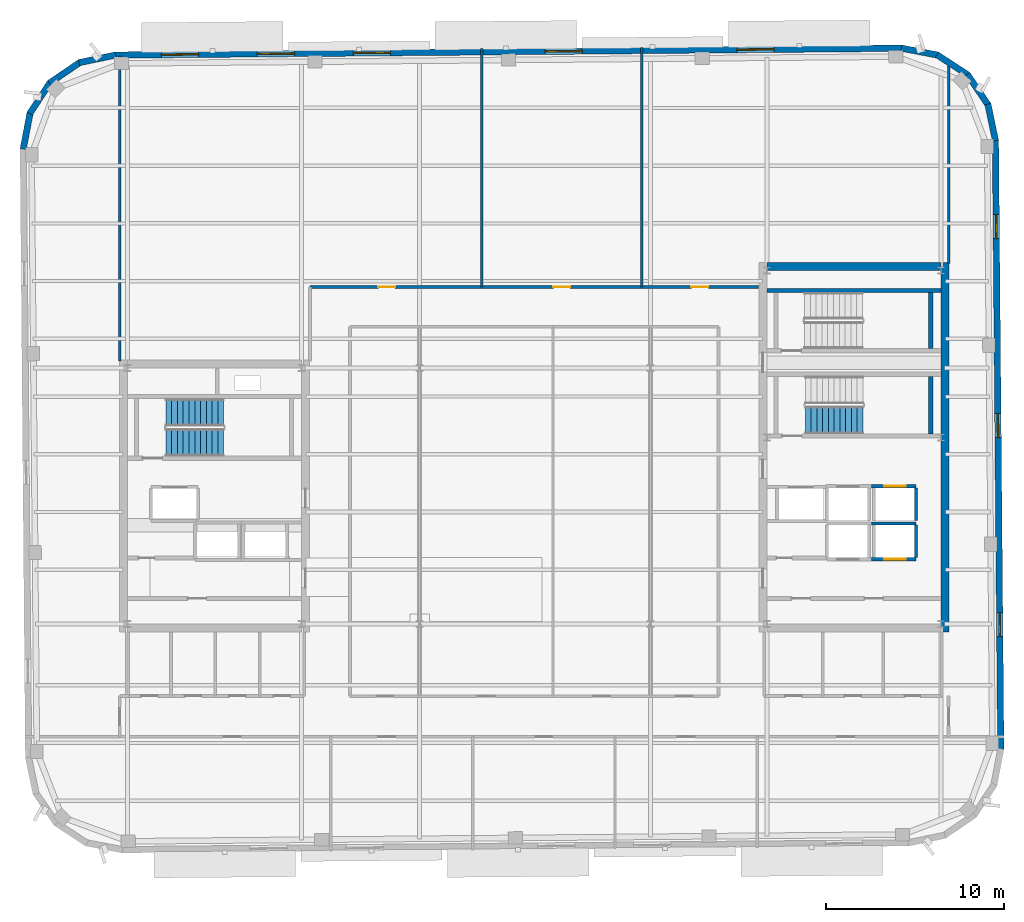
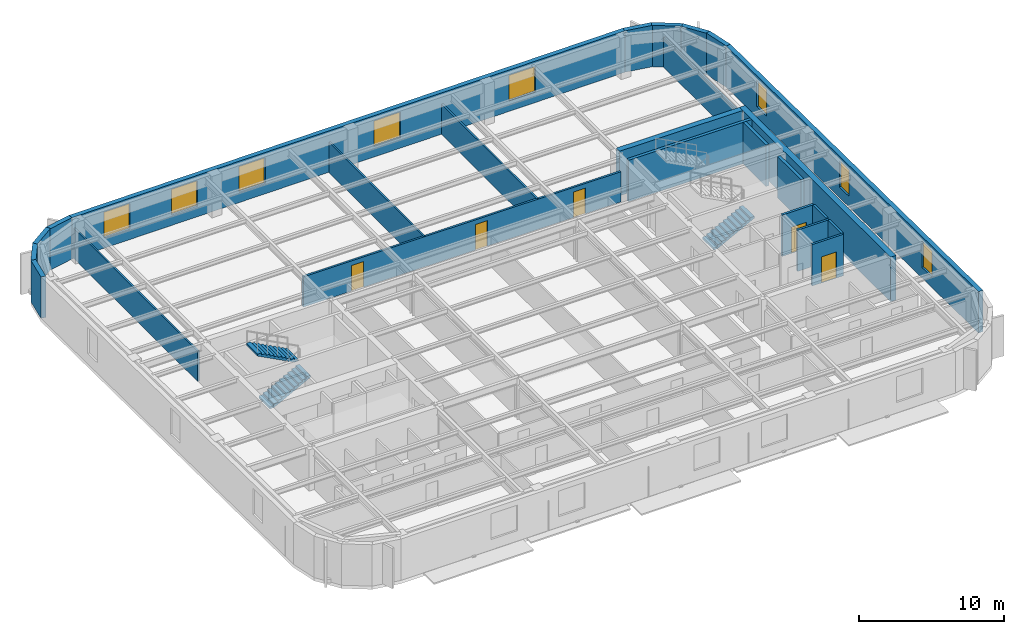
# One storey, part 9 of 15: 25 walls, 8 windows, 5 doors, 3 stair flights, 13 openings, 2 elements without a shape of their own.
"""IFC4 building model written with IfcOpenShell, lengths in metres."""

from ifc_helpers import new_model, si_unit, direction, frame, frame_2d, origin, place, context, subcontext, project, spatial, polyline, rectangle, outline, extrude, material, layer, layer_set, type_object, element, fill, aggregate, save


model = new_model("IFC4")

# Units and contexts
model_context = context("Model", 3, precision=1e-05, world=origin(), true_north=direction((0.0, 1.0)))
body_context = subcontext(model_context, "Body", "Model", "MODEL_VIEW")
ifc_project = project(units=[si_unit("LENGTHUNIT", "METRE"), si_unit("AREAUNIT", "SQUARE_METRE"), si_unit("VOLUMEUNIT", "CUBIC_METRE"), si_unit("PLANEANGLEUNIT", "RADIAN"), si_unit("MASSUNIT", "GRAM", prefix="KILO")], contexts=[model_context])

# Site, building, storey
site_placement = place(None, origin())
site = spatial("IfcSite", under=ifc_project, at=site_placement, CompositionType="ELEMENT")
building_placement = place(site_placement, origin())
building = spatial("IfcBuilding", under=site, at=building_placement, Name="Kolvaren Arena Tower", CompositionType="ELEMENT")
storey_placement = place(building_placement, frame((0.0, 0.0, 293.64990234375)))
storey = spatial("IfcBuildingStorey", under=building, at=storey_placement, Name="L72", CompositionType="ELEMENT", Elevation=293.64990234375)

# Wall, openings, doors
ifc_material_1 = material(Name="Gypsum board acoustic assembly", Category="gypsum")
ifc_layer_1 = layer(ifc_material_1, 0.159912109375)
ifc_layer_set_1 = layer_set([ifc_layer_1], Name="Gypsum board acoustic assembly")
wall_type_1 = type_object("IfcWallType", Name="CORR-160", PredefinedType="PARTITIONING", material=ifc_layer_set_1)
wall_1_placement = place(storey_placement, frame((24.820068359375, 38.419921875, 0.0), z_axis=(0.0, 0.0, 1.0), x_axis=(1.0, 0.0, 0.0)))
wall_1 = element("IfcWall", 1, at=wall_1_placement, inside=storey, type_object=wall_type_1, Name="Interior Partition Wall (L72)", PredefinedType="PARTITIONING", context=body_context, shape_type="SweptSolid", body=[
    extrude(rectangle(XDim=25.260009765625, YDim=0.159912109375, at=frame_2d((12.6298828125, 0.0))), origin(), (0.0, 0.0, 1.0), 2.5400390625),
])
opening_1_placement = place(wall_1_placement, frame((3.85498046875, 0.0, 0.0)))
opening_1 = element("IfcOpeningElement", 2, at=opening_1_placement, cuts=wall_1, Name="Opening D05", PredefinedType="OPENING", context=body_context, shape_type="SweptSolid", body=[
    extrude(rectangle(XDim=0.949951171875, YDim=2.14990234375, at=frame_2d((0.47509765625, 1.074951171875))), frame((0.0, 0.08984375, 0.0), z_axis=(0.0, -1.0, 0.0), x_axis=(1.0, 0.0, 0.0)), (0.0, 0.0, 1.0), 0.179931640625),
])
opening_2_placement = place(wall_1_placement, frame((13.705078125, 0.0, 0.0)))
opening_2 = element("IfcOpeningElement", 3, at=opening_2_placement, cuts=wall_1, Name="Opening D05", PredefinedType="OPENING", context=body_context, shape_type="SweptSolid", body=[
    extrude(rectangle(XDim=0.949951171875, YDim=2.14990234375, at=frame_2d((0.47509765625, 1.074951171875))), frame((0.0, 0.08984375, 0.0), z_axis=(0.0, -1.0, 0.0), x_axis=(1.0, 0.0, 0.0)), (0.0, 0.0, 1.0), 0.179931640625),
])
opening_3_placement = place(wall_1_placement, frame((21.47998046875, 0.0, 0.0)))
opening_3 = element("IfcOpeningElement", 4, at=opening_3_placement, cuts=wall_1, Name="Opening D05", PredefinedType="OPENING", context=body_context, shape_type="SweptSolid", body=[
    extrude(rectangle(XDim=0.949951171875, YDim=2.14990234375, at=frame_2d((0.47509765625, 1.074951171875))), frame((0.0, 0.08984375, 0.0), z_axis=(0.0, -1.0, 0.0), x_axis=(1.0, 0.0, 0.0)), (0.0, 0.0, 1.0), 0.179931640625),
])
ifc_material_2 = material(Name="Solid-core oak acoustic office door", Category="wood")
door_type_1 = type_object("IfcDoorType", Name="DOOR-OF-095", OperationType="NOTDEFINED", PredefinedType="DOOR", material=ifc_material_2)
door_1_placement = place(opening_1_placement, origin())
door_1 = element("IfcDoor", 5, at=door_1_placement, inside=storey, type_object=door_type_1, Name="Breakout Pantry and Kitchen Door (L72)", OperationType="SINGLE_SWING_LEFT", OverallHeight=2.14990234375, OverallWidth=0.949951171875, PredefinedType="DOOR", context=body_context, shape_type="SweptSolid", body=[
    extrude(rectangle(XDim=0.949951171875, YDim=2.14990234375, at=frame_2d((0.47509765625, 1.074951171875))), frame((0.0, 0.02490234375, 0.0), z_axis=(0.0, -1.0, 0.0), x_axis=(1.0, 0.0, 0.0)), (0.0, 0.0, 1.0), 0.050048828125),
])
fill(opening_1, door_1)
door_2_placement = place(opening_2_placement, origin())
door_2 = element("IfcDoor", 6, at=door_2_placement, inside=storey, type_object=door_type_1, Name="Executive Office Door (L72)", OperationType="SINGLE_SWING_RIGHT", OverallHeight=2.14990234375, OverallWidth=0.949951171875, PredefinedType="DOOR", context=body_context, shape_type="SweptSolid", body=[
    extrude(rectangle(XDim=0.949951171875, YDim=2.14990234375, at=frame_2d((0.47509765625, 1.074951171875))), frame((0.0, 0.02490234375, 0.0), z_axis=(0.0, -1.0, 0.0), x_axis=(1.0, 0.0, 0.0)), (0.0, 0.0, 1.0), 0.050048828125),
])
fill(opening_2, door_2)
door_3_placement = place(opening_3_placement, origin())
door_3 = element("IfcDoor", 7, at=door_3_placement, inside=storey, type_object=door_type_1, Name="Executive Office Door (L72)", OperationType="SINGLE_SWING_LEFT", OverallHeight=2.14990234375, OverallWidth=0.949951171875, PredefinedType="DOOR", context=body_context, shape_type="SweptSolid", body=[
    extrude(rectangle(XDim=0.949951171875, YDim=2.14990234375, at=frame_2d((0.47509765625, 1.074951171875))), frame((0.0, 0.02490234375, 0.0), z_axis=(0.0, -1.0, 0.0), x_axis=(1.0, 0.0, 0.0)), (0.0, 0.0, 1.0), 0.050048828125),
])
fill(opening_3, door_3)

# Walls
ifc_material_3 = material(Name="Concrete 55 MPa", Category="concrete")
ifc_layer_2 = layer(ifc_material_3, 0.449951171875)
ifc_layer_set_2 = layer_set([ifc_layer_2], Name="Concrete 55 MPa")
wall_type_2 = type_object("IfcWallType", Name="CWALL-450", PredefinedType="SHEAR", material=ifc_layer_set_2)
wall_2_placement = place(storey_placement, frame((60.574951171875, 19.0, -0.27001953125), z_axis=(0.0, 0.0, 1.0), x_axis=(0.0, 1.0, 0.0)))
element("IfcWall", 8, at=wall_2_placement, inside=storey, type_object=wall_type_2, Name="Core Shear Wall EC-EAST (L72)", PredefinedType="SHEAR", context=body_context, shape_type="SweptSolid", body=[
    extrude(rectangle(XDim=20.800048828125, YDim=0.449951171875, at=frame_2d((10.39990234375, 0.0))), origin(), (0.0, 0.0, 1.0), 3.75),
])
wall_3_placement = place(storey_placement, frame((50.550048828125, 39.574951171875, -0.27001953125), z_axis=(0.0, 0.0, 1.0), x_axis=(1.0, 0.0, 0.0)))
element("IfcWall", 9, at=wall_3_placement, inside=storey, type_object=wall_type_2, Name="Core Shear Wall EC-NORTH (L72)", PredefinedType="SHEAR", context=body_context, shape_type="SweptSolid", body=[
    extrude(rectangle(XDim=9.800048828125, YDim=0.449951171875, at=frame_2d((4.89990234375, 0.0))), origin(), (0.0, 0.0, 1.0), 3.75),
])

# Wall, openings, windows
ifc_material_4 = material(Name="Precast concrete C50/60", Category="concrete")
ifc_layer_3 = layer(ifc_material_4, 0.360107421875)
ifc_layer_set_3 = layer_set([ifc_layer_3], Name="Precast concrete C50/60")
wall_type_3 = type_object("IfcWallType", Name="EXT-PIER2", PredefinedType="SOLIDWALL", material=ifc_layer_set_3)
wall_4_placement = place(storey_placement, frame((63.419189453125, 46.688232421875, 0.0), z_axis=(0.0, 0.0, 1.0), x_axis=(0.008726391715, -0.999961924319, 0.0)))
wall_4 = element("IfcWall", 10, at=wall_4_placement, inside=storey, type_object=wall_type_3, Name="Exterior Precast Masonry-Frame Wall (L72)", PredefinedType="SOLIDWALL", context=body_context, shape_type="SweptSolid", body=[
    extrude(rectangle(XDim=34.300048828125, YDim=0.360107421875, at=frame_2d((17.14990234375, 0.0))), origin(), (0.0, 0.0, 1.0), 3.47998046875),
])
opening_4_placement = place(wall_4_placement, frame((4.199951171875, 0.0, 0.8798828125)))
opening_4 = element("IfcOpeningElement", 11, at=opening_4_placement, cuts=wall_4, Name="Opening W04", PredefinedType="OPENING", context=body_context, shape_type="SweptSolid", body=[
    extrude(rectangle(XDim=1.35009765625, YDim=2.199951171875, at=frame_2d((0.675048828125, 1.10009765625))), frame((0.0, 0.18994140625, 0.0), z_axis=(0.0, -1.0, 0.0), x_axis=(1.0, 0.0, 0.0)), (0.0, 0.0, 1.0), 0.380126953125),
])
opening_5_placement = place(wall_4_placement, frame((15.39990234375, 0.0, 0.8798828125)))
opening_5 = element("IfcOpeningElement", 12, at=opening_5_placement, cuts=wall_4, Name="Opening W04", PredefinedType="OPENING", context=body_context, shape_type="SweptSolid", body=[
    extrude(rectangle(XDim=1.35009765625, YDim=2.199951171875, at=frame_2d((0.675048828125, 1.10009765625))), frame((0.0, 0.18994140625, 0.0), z_axis=(0.0, -1.0, 0.0), x_axis=(1.0, 0.0, 0.0)), (0.0, 0.0, 1.0), 0.380126953125),
])
opening_6_placement = place(wall_4_placement, frame((26.60009765625, 0.0, 0.8798828125)))
opening_6 = element("IfcOpeningElement", 13, at=opening_6_placement, cuts=wall_4, Name="Opening W04", PredefinedType="OPENING", context=body_context, shape_type="SweptSolid", body=[
    extrude(rectangle(XDim=1.35009765625, YDim=2.199951171875, at=frame_2d((0.675048828125, 1.10009765625))), frame((0.0, 0.18994140625, 0.0), z_axis=(0.0, -1.0, 0.0), x_axis=(1.0, 0.0, 0.0)), (0.0, 0.0, 1.0), 0.380126953125),
])
ifc_material_5 = material(Name="Triple-glazed curved-facet corner window", Category="glass")
window_type_1 = type_object("IfcWindowType", Name="WIN-CRN-A", PartitioningType="SINGLE_PANEL", PredefinedType="WINDOW", material=ifc_material_5)
window_1_placement = place(opening_4_placement, origin())
window_1 = element("IfcWindow", 14, at=window_1_placement, inside=storey, type_object=window_type_1, Name="End-Wall Punched Window (L72)", OverallHeight=2.199951171875, OverallWidth=1.35009765625, PartitioningType="SINGLE_PANEL", PredefinedType="WINDOW", context=body_context, shape_type="SweptSolid", body=[
    extrude(rectangle(XDim=1.35009765625, YDim=2.199951171875, at=frame_2d((0.675048828125, 1.10009765625))), frame((0.0, 0.030029296875, 0.0), z_axis=(0.0, -1.0, 0.0), x_axis=(1.0, 0.0, 0.0)), (0.0, 0.0, 1.0), 0.06005859375),
])
fill(opening_4, window_1)
window_2_placement = place(opening_5_placement, origin())
window_2 = element("IfcWindow", 15, at=window_2_placement, inside=storey, type_object=window_type_1, Name="End-Wall Punched Window (L72)", OverallHeight=2.199951171875, OverallWidth=1.35009765625, PartitioningType="SINGLE_PANEL", PredefinedType="WINDOW", context=body_context, shape_type="SweptSolid", body=[
    extrude(rectangle(XDim=1.35009765625, YDim=2.199951171875, at=frame_2d((0.675048828125, 1.10009765625))), frame((0.0, 0.030029296875, 0.0), z_axis=(0.0, -1.0, 0.0), x_axis=(1.0, 0.0, 0.0)), (0.0, 0.0, 1.0), 0.06005859375),
])
fill(opening_5, window_2)
window_3_placement = place(opening_6_placement, origin())
window_3 = element("IfcWindow", 16, at=window_3_placement, inside=storey, type_object=window_type_1, Name="End-Wall Punched Window (L72)", OverallHeight=2.199951171875, OverallWidth=1.35009765625, PartitioningType="SINGLE_PANEL", PredefinedType="WINDOW", context=body_context, shape_type="SweptSolid", body=[
    extrude(rectangle(XDim=1.35009765625, YDim=2.199951171875, at=frame_2d((0.675048828125, 1.10009765625))), frame((0.0, 0.030029296875, 0.0), z_axis=(0.0, -1.0, 0.0), x_axis=(1.0, 0.0, 0.0)), (0.0, 0.0, 1.0), 0.06005859375),
])
fill(opening_6, window_3)

# Walls
for number, where, z_axis, x_axis, name in (
    (17, (62.993896484375, 48.7158203125, 0.0), (0.0, 0.0, 1.0), (0.203709000552, -0.979031482177, 0.0), "Exterior Precast Masonry-Frame Wall (L72)"),
    (18, (61.835693359375, 50.392822265625, 0.0), (0.0, 0.0, 1.0), (0.562829722645, -0.826572866302, 0.0), "Exterior Precast Masonry-Frame Wall (L72)"),
):
    element("IfcWall", number, at=place(storey_placement, frame(where, z_axis=z_axis, x_axis=x_axis)), inside=storey, type_object=wall_type_3, Name=name, PredefinedType="SOLIDWALL", context=body_context, shape_type="SweptSolid", body=[
        extrude(rectangle(XDim=2.10693359375, YDim=0.360107421875, at=frame_2d((1.053466796875, 0.0))), origin(), (0.0, 0.0, 1.0), 3.47998046875),
    ])
for number, where, z_axis, x_axis, name in (
    (19, (60.123779296875, 51.498779296875, 0.0), (0.0, 0.0, 1.0), (0.83632188969, -0.548238722478, 0.0), "Exterior Precast Masonry-Frame Wall (L72)"),
    (20, (58.118896484375, 51.865478515625, 0.0), (0.0, 0.0, 1.0), (0.982463107022, -0.186457081764, 0.0), "Exterior Precast Masonry-Frame Wall (L72)"),
):
    element("IfcWall", number, at=place(storey_placement, frame(where, z_axis=z_axis, x_axis=x_axis)), inside=storey, type_object=wall_type_3, Name=name, PredefinedType="SOLIDWALL", context=body_context, shape_type="SweptSolid", body=[
        extrude(rectangle(XDim=2.106689453125, YDim=0.360107421875, at=frame_2d((1.05322265625, 0.0))), origin(), (0.0, 0.0, 1.0), 3.47998046875),
    ])

# Wall, openings, windows
wall_5_placement = place(storey_placement, frame((13.855712890625, 51.475830078125, 0.0), z_axis=(0.0, 0.0, 1.0), x_axis=(0.999961944954, 0.008724026757, 0.0)))
wall_5 = element("IfcWall", 21, at=wall_5_placement, inside=storey, type_object=wall_type_3, Name="Exterior Precast Masonry-Frame Wall (L72)", PredefinedType="SOLIDWALL", context=body_context, shape_type="SweptSolid", body=[
    extrude(rectangle(XDim=44.300048828125, YDim=0.360107421875, at=frame_2d((22.14990234375, 0.0))), origin(), (0.0, 0.0, 1.0), 3.47998046875),
])
opening_7_placement = place(wall_5_placement, frame((2.60009765625, 0.0, 0.8798828125)))
opening_7 = element("IfcOpeningElement", 22, at=opening_7_placement, cuts=wall_5, Name="Opening W01", PredefinedType="OPENING", context=body_context, shape_type="SweptSolid", body=[
    extrude(rectangle(XDim=2.10009765625, YDim=2.14990234375, at=frame_2d((1.050048828125, 1.074951171875))), frame((0.0, 0.18994140625, 0.0), z_axis=(0.0, -1.0, 0.0), x_axis=(1.0, 0.0, 0.0)), (0.0, 0.0, 1.0), 0.380126953125),
])
opening_8_placement = place(wall_5_placement, frame((8.0, 0.0, 0.8798828125)))
opening_8 = element("IfcOpeningElement", 23, at=opening_8_placement, cuts=wall_5, Name="Opening W01", PredefinedType="OPENING", context=body_context, shape_type="SweptSolid", body=[
    extrude(rectangle(XDim=2.10009765625, YDim=2.14990234375, at=frame_2d((1.050048828125, 1.074951171875))), frame((0.0, 0.18994140625, 0.0), z_axis=(0.0, -1.0, 0.0), x_axis=(1.0, 0.0, 0.0)), (0.0, 0.0, 1.0), 0.380126953125),
])
opening_9_placement = place(wall_5_placement, frame((13.39990234375, 0.0, 0.8798828125)))
opening_9 = element("IfcOpeningElement", 24, at=opening_9_placement, cuts=wall_5, Name="Opening W01", PredefinedType="OPENING", context=body_context, shape_type="SweptSolid", body=[
    extrude(rectangle(XDim=2.10009765625, YDim=2.14990234375, at=frame_2d((1.050048828125, 1.074951171875))), frame((0.0, 0.18994140625, 0.0), z_axis=(0.0, -1.0, 0.0), x_axis=(1.0, 0.0, 0.0)), (0.0, 0.0, 1.0), 0.380126953125),
])
opening_10_placement = place(wall_5_placement, frame((24.199951171875, 0.0, 0.8798828125)))
opening_10 = element("IfcOpeningElement", 25, at=opening_10_placement, cuts=wall_5, Name="Opening W01", PredefinedType="OPENING", context=body_context, shape_type="SweptSolid", body=[
    extrude(rectangle(XDim=2.10009765625, YDim=2.14990234375, at=frame_2d((1.050048828125, 1.074951171875))), frame((0.0, 0.18994140625, 0.0), z_axis=(0.0, -1.0, 0.0), x_axis=(1.0, 0.0, 0.0)), (0.0, 0.0, 1.0), 0.380126953125),
])
opening_11_placement = place(wall_5_placement, frame((35.0, 0.0, 0.8798828125)))
opening_11 = element("IfcOpeningElement", 26, at=opening_11_placement, cuts=wall_5, Name="Opening W01", PredefinedType="OPENING", context=body_context, shape_type="SweptSolid", body=[
    extrude(rectangle(XDim=2.10009765625, YDim=2.14990234375, at=frame_2d((1.050048828125, 1.074951171875))), frame((0.0, 0.18994140625, 0.0), z_axis=(0.0, -1.0, 0.0), x_axis=(1.0, 0.0, 0.0)), (0.0, 0.0, 1.0), 0.380126953125),
])
ifc_material_6 = material(Name="Triple-glazed low-E aluminium window", Category="aluminium")
window_type_2 = type_object("IfcWindowType", Name="WIN-OFF-A", PartitioningType="DOUBLE_PANEL_VERTICAL", PredefinedType="WINDOW", material=ifc_material_6)
window_4_placement = place(opening_7_placement, origin())
window_4 = element("IfcWindow", 27, at=window_4_placement, inside=storey, type_object=window_type_2, Name="Punched Precast-Pier Window (L72)", OverallHeight=2.14990234375, OverallWidth=2.10009765625, PartitioningType="DOUBLE_PANEL_VERTICAL", PredefinedType="WINDOW", context=body_context, shape_type="SweptSolid", body=[
    extrude(rectangle(XDim=2.10009765625, YDim=2.14990234375, at=frame_2d((1.050048828125, 1.074951171875))), frame((0.0, 0.030029296875, 0.0), z_axis=(0.0, -1.0, 0.0), x_axis=(1.0, 0.0, 0.0)), (0.0, 0.0, 1.0), 0.06005859375),
])
fill(opening_7, window_4)
window_5_placement = place(opening_8_placement, origin())
window_5 = element("IfcWindow", 28, at=window_5_placement, inside=storey, type_object=window_type_2, Name="Punched Precast-Pier Window (L72)", OverallHeight=2.14990234375, OverallWidth=2.10009765625, PartitioningType="DOUBLE_PANEL_VERTICAL", PredefinedType="WINDOW", context=body_context, shape_type="SweptSolid", body=[
    extrude(rectangle(XDim=2.10009765625, YDim=2.14990234375, at=frame_2d((1.050048828125, 1.074951171875))), frame((0.0, 0.030029296875, 0.0), z_axis=(0.0, -1.0, 0.0), x_axis=(1.0, 0.0, 0.0)), (0.0, 0.0, 1.0), 0.06005859375),
])
fill(opening_8, window_5)
window_6_placement = place(opening_9_placement, origin())
window_6 = element("IfcWindow", 29, at=window_6_placement, inside=storey, type_object=window_type_2, Name="Punched Precast-Pier Window (L72)", OverallHeight=2.14990234375, OverallWidth=2.10009765625, PartitioningType="DOUBLE_PANEL_VERTICAL", PredefinedType="WINDOW", context=body_context, shape_type="SweptSolid", body=[
    extrude(rectangle(XDim=2.10009765625, YDim=2.14990234375, at=frame_2d((1.050048828125, 1.074951171875))), frame((0.0, 0.030029296875, 0.0), z_axis=(0.0, -1.0, 0.0), x_axis=(1.0, 0.0, 0.0)), (0.0, 0.0, 1.0), 0.06005859375),
])
fill(opening_9, window_6)
window_7_placement = place(opening_10_placement, origin())
window_7 = element("IfcWindow", 30, at=window_7_placement, inside=storey, type_object=window_type_2, Name="Punched Precast-Pier Window (L72)", OverallHeight=2.14990234375, OverallWidth=2.10009765625, PartitioningType="DOUBLE_PANEL_VERTICAL", PredefinedType="WINDOW", context=body_context, shape_type="SweptSolid", body=[
    extrude(rectangle(XDim=2.10009765625, YDim=2.14990234375, at=frame_2d((1.050048828125, 1.074951171875))), frame((0.0, 0.030029296875, 0.0), z_axis=(0.0, -1.0, 0.0), x_axis=(1.0, 0.0, 0.0)), (0.0, 0.0, 1.0), 0.06005859375),
])
fill(opening_10, window_7)
window_8_placement = place(opening_11_placement, origin())
window_8 = element("IfcWindow", 31, at=window_8_placement, inside=storey, type_object=window_type_2, Name="Punched Precast-Pier Window (L72)", OverallHeight=2.14990234375, OverallWidth=2.10009765625, PartitioningType="DOUBLE_PANEL_VERTICAL", PredefinedType="WINDOW", context=body_context, shape_type="SweptSolid", body=[
    extrude(rectangle(XDim=2.10009765625, YDim=2.14990234375, at=frame_2d((1.050048828125, 1.074951171875))), frame((0.0, 0.030029296875, 0.0), z_axis=(0.0, -1.0, 0.0), x_axis=(1.0, 0.0, 0.0)), (0.0, 0.0, 1.0), 0.06005859375),
])
fill(opening_11, window_8)

# Walls
for number, where, z_axis, x_axis, name in (
    (32, (11.827880859375, 51.050537109375, 0.0), (0.0, 0.0, 1.0), (0.97905458633, 0.203597929717, 0.0), "Exterior Precast Masonry-Frame Wall (L72)"),
    (33, (10.15087890625, 49.89208984375, 0.0), (0.0, 0.0, 1.0), (0.826609569219, 0.56277581689, 0.0), "Exterior Precast Masonry-Frame Wall (L72)"),
):
    element("IfcWall", number, at=place(storey_placement, frame(where, z_axis=z_axis, x_axis=x_axis)), inside=storey, type_object=wall_type_3, Name=name, PredefinedType="SOLIDWALL", context=body_context, shape_type="SweptSolid", body=[
        extrude(rectangle(XDim=2.10693359375, YDim=0.360107421875, at=frame_2d((1.053466796875, 0.0))), origin(), (0.0, 0.0, 1.0), 3.47998046875),
    ])
for number, where, z_axis, x_axis, name in (
    (34, (9.044921875, 48.18017578125, 0.0), (0.0, 0.0, 1.0), (0.548266637224, 0.836303589916, 0.0), "Exterior Precast Masonry-Frame Wall (L72)"),
    (35, (8.67822265625, 46.17529296875, 0.0), (0.0, 0.0, 1.0), (0.186547695246, 0.982445905584, 0.0), "Exterior Precast Masonry-Frame Wall (L72)"),
):
    element("IfcWall", number, at=place(storey_placement, frame(where, z_axis=z_axis, x_axis=x_axis)), inside=storey, type_object=wall_type_3, Name=name, PredefinedType="SOLIDWALL", context=body_context, shape_type="SweptSolid", body=[
        extrude(rectangle(XDim=2.107177734375, YDim=0.360107421875, at=frame_2d((1.0537109375, 0.0))), origin(), (0.0, 0.0, 1.0), 3.47998046875),
    ])
ifc_material_7 = material(Name="Gypsum board partition assembly", Category="gypsum")
ifc_layer_4 = layer(ifc_material_7, 0.135009765625)
ifc_layer_set_4 = layer_set([ifc_layer_4], Name="Gypsum board partition assembly")
wall_type_4 = type_object("IfcWallType", Name="PART-135", PredefinedType="PARTITIONING", material=ifc_layer_set_4)
wall_6_placement = place(storey_placement, frame((34.5, 38.419921875, 0.0), z_axis=(0.0, 0.0, 1.0), x_axis=(0.0, 1.0, 0.0)))
element("IfcWall", 36, at=wall_6_placement, inside=storey, type_object=wall_type_4, Name="Interior Partition Wall (L72)", PredefinedType="PARTITIONING", context=body_context, shape_type="SweptSolid", body=[
    extrude(rectangle(XDim=13.416015625, YDim=0.135009765625, at=frame_2d((6.7080078125, 0.0))), origin(), (0.0, 0.0, 1.0), 2.5400390625),
])
wall_7_placement = place(storey_placement, frame((43.5, 38.419921875, 0.0), z_axis=(0.0, 0.0, 1.0), x_axis=(0.0, 1.0, 0.0)))
element("IfcWall", 37, at=wall_7_placement, inside=storey, type_object=wall_type_4, Name="Interior Partition Wall (L72)", PredefinedType="PARTITIONING", context=body_context, shape_type="SweptSolid", body=[
    extrude(rectangle(XDim=13.49462890625, YDim=0.135009765625, at=frame_2d((6.747314453125, 0.0))), origin(), (0.0, 0.0, 1.0), 2.5400390625),
])
wall_8_placement = place(storey_placement, frame((14.1201171875, 34.25, 0.0), z_axis=(0.0, 0.0, 1.0), x_axis=(0.0, 1.0, 0.0)))
element("IfcWall", 38, at=wall_8_placement, inside=storey, type_object=wall_type_4, Name="Interior Partition Wall (L72)", PredefinedType="PARTITIONING", context=body_context, shape_type="SweptSolid", body=[
    extrude(rectangle(XDim=17.168212890625, YDim=0.135009765625, at=frame_2d((8.583984375, 0.0))), origin(), (0.0, 0.0, 1.0), 2.5400390625),
])
wall_9_placement = place(storey_placement, frame((60.780029296875, 39.75, 0.0), z_axis=(0.0, 0.0, 1.0), x_axis=(0.0, 1.0, 0.0)))
element("IfcWall", 39, at=wall_9_placement, inside=storey, type_object=wall_type_4, Name="Interior Partition Wall (L72)", PredefinedType="PARTITIONING", context=body_context, shape_type="SweptSolid", body=[
    extrude(rectangle(XDim=11.246826171875, YDim=0.135009765625, at=frame_2d((5.62353515625, 0.0))), origin(), (0.0, 0.0, 1.0), 2.5400390625),
])
ifc_material_8 = material(Name="Concrete 45 MPa", Category="concrete")
ifc_layer_5 = layer(ifc_material_8, 0.25)
ifc_layer_set_5 = layer_set([ifc_layer_5], Name="Concrete 45 MPa")
wall_type_5 = type_object("IfcWallType", Name="SHAFT-250", PredefinedType="SOLIDWALL", material=ifc_layer_set_5)
wall_10_placement = place(storey_placement, frame((59.780029296875, 30.14990234375, 0.0), z_axis=(0.0, 0.0, 1.0), x_axis=(0.0, 1.0, 0.0)))
element("IfcWall", 40, at=wall_10_placement, inside=storey, type_object=wall_type_5, Name="Core Shaft Wall (L72)", PredefinedType="SOLIDWALL", context=body_context, shape_type="SweptSolid", body=[
    extrude(rectangle(XDim=3.22998046875, YDim=0.239990234375, at=frame_2d((1.614990234375, 0.0))), origin(), (0.0, 0.0, 1.0), 3.47998046875),
])
wall_11_placement = place(storey_placement, frame((50.550048828125, 38.219970703125, 0.0), z_axis=(0.0, 0.0, 1.0), x_axis=(1.0, 0.0, 0.0)))
element("IfcWall", 41, at=wall_11_placement, inside=storey, type_object=wall_type_5, Name="Core Shaft Wall (L72)", PredefinedType="SOLIDWALL", context=body_context, shape_type="SweptSolid", body=[
    extrude(rectangle(XDim=9.800048828125, YDim=0.239990234375, at=frame_2d((4.89990234375, 0.0))), origin(), (0.0, 0.0, 1.0), 3.47998046875),
])
wall_12_placement = place(storey_placement, frame((59.780029296875, 34.949951171875, 0.0), z_axis=(0.0, 0.0, 1.0), x_axis=(0.0, 1.0, 0.0)))
element("IfcWall", 42, at=wall_12_placement, inside=storey, type_object=wall_type_5, Name="Core Shaft Wall (L72)", PredefinedType="SOLIDWALL", context=body_context, shape_type="SweptSolid", body=[
    extrude(rectangle(XDim=3.150146484375, YDim=0.239990234375, at=frame_2d((1.5751953125, 0.0))), origin(), (0.0, 0.0, 1.0), 3.47998046875),
])
wall_13_placement = place(storey_placement, frame((56.43994140625, 25.10498046875, 0.0), z_axis=(0.0, 0.0, 1.0), x_axis=(1.0, 0.0, 0.0)))
element("IfcWall", 43, at=wall_13_placement, inside=storey, type_object=wall_type_5, Name="Core Shaft Wall (L72)", PredefinedType="SOLIDWALL", context=body_context, shape_type="SweptSolid", body=[
    extrude(rectangle(XDim=2.5, YDim=0.179931640625, at=frame_2d((1.25, 0.0))), origin(), (0.0, 0.0, 1.0), 3.47998046875),
])

# Wall, opening, door
wall_14_placement = place(storey_placement, frame((56.43994140625, 23.094970703125, 0.0), z_axis=(0.0, 0.0, 1.0), x_axis=(1.0, 0.0, 0.0)))
wall_14 = element("IfcWall", 44, at=wall_14_placement, inside=storey, type_object=wall_type_5, Name="Core Shaft Wall (L72)", PredefinedType="SOLIDWALL", context=body_context, shape_type="SweptSolid", body=[
    extrude(rectangle(XDim=2.5, YDim=0.179931640625, at=frame_2d((1.25, 0.0))), origin(), (0.0, 0.0, 1.0), 3.47998046875),
])
opening_12_placement = place(wall_14_placement, frame((0.719970703125, 0.0, 0.0)))
opening_12 = element("IfcOpeningElement", 45, at=opening_12_placement, cuts=wall_14, Name="Opening LD1", PredefinedType="OPENING", context=body_context, shape_type="SweptSolid", body=[
    extrude(rectangle(XDim=1.199951171875, YDim=2.199951171875, at=frame_2d((0.60009765625, 1.10009765625))), frame((0.0, 0.099853515625, 0.0), z_axis=(0.0, -1.0, 0.0), x_axis=(1.0, 0.0, 0.0)), (0.0, 0.0, 1.0), 0.199951171875),
])
ifc_material_9 = material(Name="Stainless steel passenger lift landing door", Category="steel")
door_type_2 = type_object("IfcDoorType", Name="DOOR-LD-120", OperationType="DOUBLE_DOOR_SLIDING", PredefinedType="DOOR", material=ifc_material_9)
door_4_placement = place(opening_12_placement, origin())
door_4 = element("IfcDoor", 46, at=door_4_placement, inside=storey, type_object=door_type_2, Name="Lift EL-HR2 Landing Door (L72)", OperationType="DOUBLE_DOOR_SLIDING", OverallHeight=2.199951171875, OverallWidth=1.199951171875, PredefinedType="DOOR", context=body_context, shape_type="SweptSolid", body=[
    extrude(rectangle(XDim=1.199951171875, YDim=2.199951171875, at=frame_2d((0.60009765625, 1.10009765625))), frame((0.0, 0.02490234375, 0.0), z_axis=(0.0, -1.0, 0.0), x_axis=(1.0, 0.0, 0.0)), (0.0, 0.0, 1.0), 0.050048828125),
])
fill(opening_12, door_4)

# Wall
wall_15_placement = place(storey_placement, frame((58.93994140625, 23.18505859375, 0.0), z_axis=(0.0, 0.0, 1.0), x_axis=(0.0, 1.0, 0.0)))
element("IfcWall", 47, at=wall_15_placement, inside=storey, type_object=wall_type_5, Name="Core Shaft Wall (L72)", PredefinedType="SOLIDWALL", context=body_context, shape_type="SweptSolid", body=[
    extrude(rectangle(XDim=1.829833984375, YDim=0.179931640625, at=frame_2d((0.9150390625, 0.0))), origin(), (0.0, 0.0, 1.0), 3.47998046875),
])

# Wall, opening, door
wall_16_placement = place(storey_placement, frame((56.43994140625, 27.205078125, 0.0), z_axis=(0.0, 0.0, 1.0), x_axis=(1.0, 0.0, 0.0)))
wall_16 = element("IfcWall", 48, at=wall_16_placement, inside=storey, type_object=wall_type_5, Name="Core Shaft Wall (L72)", PredefinedType="SOLIDWALL", context=body_context, shape_type="SweptSolid", body=[
    extrude(rectangle(XDim=2.5, YDim=0.179931640625, at=frame_2d((1.25, 0.0))), origin(), (0.0, 0.0, 1.0), 3.47998046875),
])
opening_13_placement = place(wall_16_placement, frame((0.719970703125, 0.0, 0.0)))
opening_13 = element("IfcOpeningElement", 49, at=opening_13_placement, cuts=wall_16, Name="Opening LD1", PredefinedType="OPENING", context=body_context, shape_type="SweptSolid", body=[
    extrude(rectangle(XDim=1.199951171875, YDim=2.199951171875, at=frame_2d((0.60009765625, 1.10009765625))), frame((0.0, 0.099853515625, 0.0), z_axis=(0.0, -1.0, 0.0), x_axis=(1.0, 0.0, 0.0)), (0.0, 0.0, 1.0), 0.199951171875),
])
door_5_placement = place(opening_13_placement, origin())
door_5 = element("IfcDoor", 50, at=door_5_placement, inside=storey, type_object=door_type_2, Name="Lift EL-HR4 Landing Door (L72)", OperationType="DOUBLE_DOOR_SLIDING", OverallHeight=2.199951171875, OverallWidth=1.199951171875, PredefinedType="DOOR", context=body_context, shape_type="SweptSolid", body=[
    extrude(rectangle(XDim=1.199951171875, YDim=2.199951171875, at=frame_2d((0.60009765625, 1.10009765625))), frame((0.0, 0.02490234375, 0.0), z_axis=(0.0, -1.0, 0.0), x_axis=(1.0, 0.0, 0.0)), (0.0, 0.0, 1.0), 0.050048828125),
])
fill(opening_13, door_5)

# Wall
wall_17_placement = place(storey_placement, frame((58.93994140625, 25.284912109375, 0.0), z_axis=(0.0, 0.0, 1.0), x_axis=(0.0, 1.0, 0.0)))
element("IfcWall", 51, at=wall_17_placement, inside=storey, type_object=wall_type_5, Name="Core Shaft Wall (L72)", PredefinedType="SOLIDWALL", context=body_context, shape_type="SweptSolid", body=[
    extrude(rectangle(XDim=1.830078125, YDim=0.179931640625, at=frame_2d((0.9150390625, 0.0))), origin(), (0.0, 0.0, 1.0), 3.47998046875),
])

# Stair, stair flights
stair_type = type_object("IfcStairType", Name="STAIR-CORE-165", PredefinedType="HALF_TURN_STAIR", material=ifc_material_8)
stair_1_placement = place(storey_placement, origin())
stair_1 = element("IfcStair", 52, at=stair_1_placement, inside=storey, type_object=stair_type, Name="L72 ST-W1", PredefinedType="HALF_TURN_STAIR")
stair_flight_type = type_object("IfcStairFlightType", Name="FLT-165", PredefinedType="STRAIGHT", material=ifc_material_8)
stair_flight_1_placement = place(storey_placement, frame((16.719970703125, 29.669921875, 0.0), z_axis=(0.0, 0.0, 1.0), x_axis=(1.0, 0.0, 0.0)))
stair_flight_1 = element("IfcStairFlight", 53, at=stair_flight_1_placement, type_object=stair_flight_type, Name="ST-W1 flight 1", NumberOfRisers=11, NumberOfTreads=10, PredefinedType="STRAIGHT", RiserHeight=0.170454545, TreadLength=0.324, context=body_context, shape_type="SweptSolid", body=[
    extrude(outline(polyline([(0.0, 0.0), (0.0, 0.17041015625), (0.323974609375, 0.17041015625), (0.323974609375, 0.3408203125), (0.64794921875, 0.3408203125), (0.64794921875, 0.511474609375), (0.971923828125, 0.511474609375), (0.971923828125, 0.681884765625), (1.2958984375, 0.681884765625), (1.2958984375, 0.852294921875), (1.6201171875, 0.852294921875), (1.6201171875, 1.022705078125), (1.944091796875, 1.022705078125), (1.944091796875, 1.193115234375), (2.26806640625, 1.193115234375), (2.26806640625, 1.363525390625), (2.592041015625, 1.363525390625), (2.592041015625, 1.5341796875), (2.916015625, 1.5341796875), (2.916015625, 1.70458984375), (3.239990234375, 1.70458984375), (3.239990234375, 1.875), (3.239990234375, 1.53515625), (0.322021484375, 0.0), (0.0, 0.0)])), frame((0.0, 0.77001953125, 0.0), z_axis=(0.0, -1.0, 0.0), x_axis=(1.0, 0.0, 0.0)), (0.0, 0.0, 1.0), 1.5400390625),
])
stair_flight_2_placement = place(storey_placement, frame((19.9599609375, 31.360107421875, 1.875), z_axis=(0.0, 0.0, 1.0), x_axis=(-1.0, 0.0, 0.0)))
stair_flight_2 = element("IfcStairFlight", 54, at=stair_flight_2_placement, type_object=stair_flight_type, Name="ST-W1 flight 2", NumberOfRisers=11, NumberOfTreads=10, PredefinedType="STRAIGHT", RiserHeight=0.170454545, TreadLength=0.324, context=body_context, shape_type="SweptSolid", body=[
    extrude(outline(polyline([(0.0, 0.0), (0.0, 0.17041015625), (0.323974609375, 0.17041015625), (0.323974609375, 0.3408203125), (0.64794921875, 0.3408203125), (0.64794921875, 0.511474609375), (0.971923828125, 0.511474609375), (0.971923828125, 0.681884765625), (1.2958984375, 0.681884765625), (1.2958984375, 0.852294921875), (1.6201171875, 0.852294921875), (1.6201171875, 1.022705078125), (1.944091796875, 1.022705078125), (1.944091796875, 1.193115234375), (2.26806640625, 1.193115234375), (2.26806640625, 1.363525390625), (2.592041015625, 1.363525390625), (2.592041015625, 1.5341796875), (2.916015625, 1.5341796875), (2.916015625, 1.70458984375), (3.239990234375, 1.70458984375), (3.239990234375, 1.875), (3.239990234375, 1.53515625), (0.322021484375, 0.0), (0.0, 0.0)])), frame((0.0, 0.77001953125, 0.0), z_axis=(0.0, -1.0, 0.0), x_axis=(1.0, 0.0, 0.0)), (0.0, 0.0, 1.0), 1.5400390625),
])
aggregate(stair_1, [stair_flight_1, stair_flight_2])

# Stair, stair flight
stair_2_placement = place(storey_placement, origin())
stair_2 = element("IfcStair", 55, at=stair_2_placement, inside=storey, type_object=stair_type, Name="L72 ST-E1", PredefinedType="HALF_TURN_STAIR")
stair_flight_3_placement = place(storey_placement, frame((52.719970703125, 30.919921875, 0.0), z_axis=(0.0, 0.0, 1.0), x_axis=(1.0, 0.0, 0.0)))
stair_flight_3 = element("IfcStairFlight", 56, at=stair_flight_3_placement, type_object=stair_flight_type, Name="ST-E1 flight 1", NumberOfRisers=11, NumberOfTreads=10, PredefinedType="STRAIGHT", RiserHeight=0.170454545, TreadLength=0.324, context=body_context, shape_type="SweptSolid", body=[
    extrude(outline(polyline([(0.0, 0.0), (0.0, 0.17041015625), (0.323974609375, 0.17041015625), (0.323974609375, 0.3408203125), (0.64794921875, 0.3408203125), (0.64794921875, 0.511474609375), (0.971923828125, 0.511474609375), (0.971923828125, 0.681884765625), (1.2958984375, 0.681884765625), (1.2958984375, 0.852294921875), (1.6201171875, 0.852294921875), (1.6201171875, 1.022705078125), (1.944091796875, 1.022705078125), (1.944091796875, 1.193115234375), (2.26806640625, 1.193115234375), (2.26806640625, 1.363525390625), (2.592041015625, 1.363525390625), (2.592041015625, 1.5341796875), (2.916015625, 1.5341796875), (2.916015625, 1.70458984375), (3.239990234375, 1.70458984375), (3.239990234375, 1.875), (3.239990234375, 1.53515625), (0.322021484375, 0.0), (0.0, 0.0)])), frame((0.0, 0.77001953125, 0.0), z_axis=(0.0, -1.0, 0.0), x_axis=(1.0, 0.0, 0.0)), (0.0, 0.0, 1.0), 1.5400390625),
])
aggregate(stair_2, [stair_flight_3])

save(model, "model.ifc")
